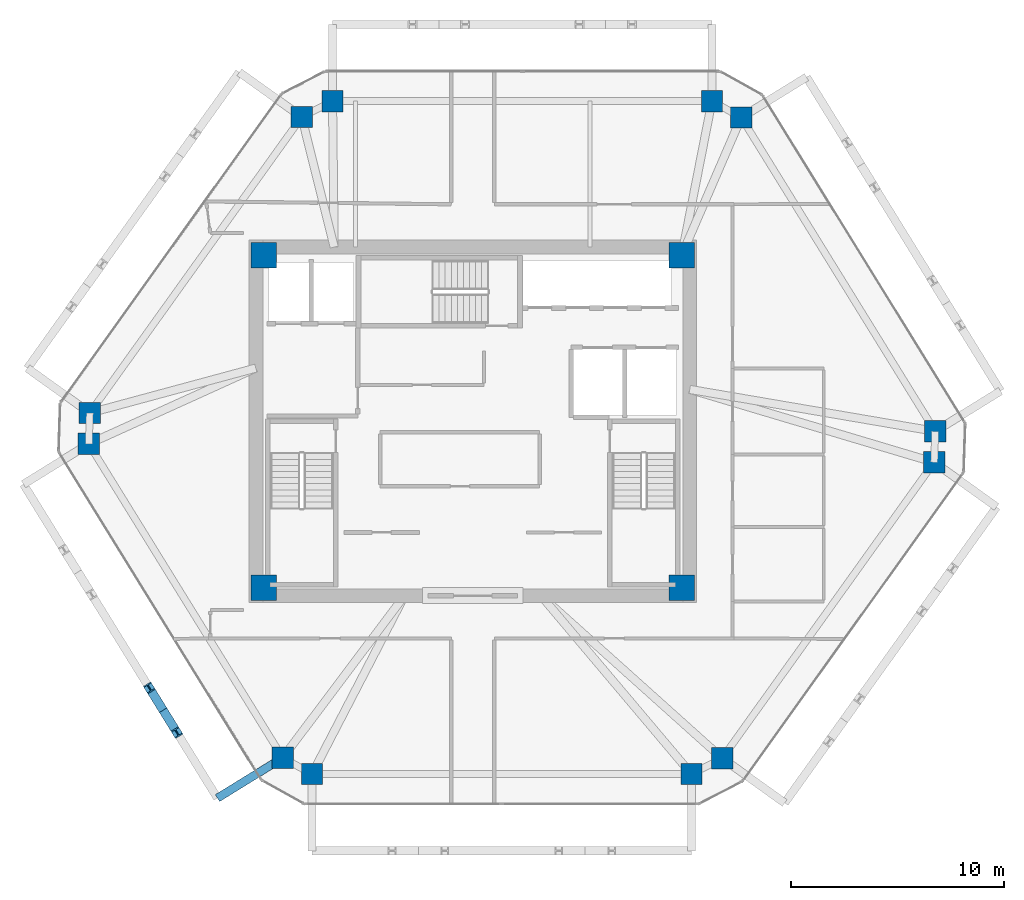
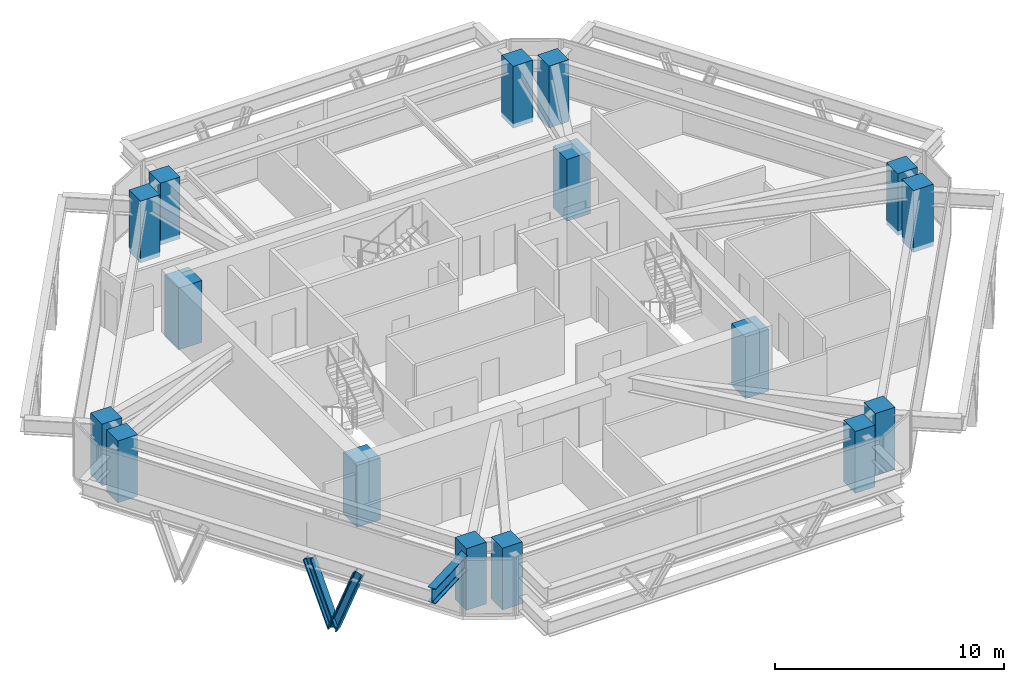
# One storey, part 1 of 11: 16 columns, 2 members, 1 beam.
"""IFC4 building model written with IfcOpenShell, lengths in metres."""

from ifc_helpers import new_model, si_unit, direction, frame, origin, origin_2d, place, context, subcontext, project, spatial, rectangle, i_section, extrude, source, transform, mapped, material, material_profile, profile_set, type_object, type_shapes, element, save


model = new_model("IFC4")

# Units and contexts
model_context = context("Model", 3, precision=1e-05, world=origin(), true_north=direction((0.0, 1.0)))
body_context = subcontext(model_context, "Body", "Model", "MODEL_VIEW")
ifc_project = project(units=[si_unit("LENGTHUNIT", "METRE"), si_unit("AREAUNIT", "SQUARE_METRE"), si_unit("VOLUMEUNIT", "CUBIC_METRE"), si_unit("PLANEANGLEUNIT", "RADIAN"), si_unit("MASSUNIT", "GRAM", prefix="KILO")], contexts=[model_context])

# Site, building, storey
site_placement = place(None, origin())
site = spatial("IfcSite", under=ifc_project, at=site_placement, CompositionType="ELEMENT")
building_placement = place(site_placement, origin())
building = spatial("IfcBuilding", under=site, at=building_placement, Name="Durnholm Broadcast Tower", CompositionType="ELEMENT")
storey_placement = place(building_placement, frame((0.0, 0.0, 170.5)))
storey = spatial("IfcBuildingStorey", under=building, at=storey_placement, Name="L46", CompositionType="ELEMENT", Elevation=170.5)

# Columns
ifc_material_1 = material(Name="Concrete C70/85", Category="concrete")
ifc_material_profile_1 = material_profile(ifc_material_1, rectangle(XDim=1.199951171875, YDim=1.199951171875, at=origin_2d()), Name="RC1200X1200")
ifc_profile_set_1 = profile_set([ifc_material_profile_1], Name="Concrete C70/85")
column_type_1 = type_object("IfcColumnType", Name="COL-CC-1200", PredefinedType="COLUMN", material=ifc_profile_set_1)
shared_shape_1 = source(origin(), body_context, "Body", "SweptSolid", [
    extrude(rectangle(XDim=1.199951171875, YDim=1.199951171875, at=origin_2d()), origin(), (0.0, 0.0, 1.0), 3.300048828125),
])
type_shapes(column_type_1, [shared_shape_1])
for number, where, z_axis, x_axis, name in (
    (1, (-9.800048828125, -7.800048828125, -0.239990234375), (0.0, 0.0, 1.0), (1.0, 0.0, 0.0), "L46 core corner column 1"),
    (2, (9.800048828125, -7.800048828125, -0.239990234375), (0.0, 0.0, 1.0), (1.0, 0.0, 0.0), "L46 core corner column 2"),
    (3, (9.800048828125, 7.800048828125, -0.239990234375), (0.0, 0.0, 1.0), (1.0, 0.0, 0.0), "L46 core corner column 3"),
    (4, (-9.800048828125, 7.800048828125, -0.239990234375), (0.0, 0.0, 1.0), (1.0, 0.0, 0.0), "L46 core corner column 4"),
):
    element("IfcColumn", number, at=place(storey_placement, frame(where, z_axis=z_axis, x_axis=x_axis)), inside=storey, type_object=column_type_1, Name=name, PredefinedType="COLUMN", context=body_context, shape_type="MappedRepresentation", body=[
        mapped(shared_shape_1, transform((0.0, 0.0, 0.0), x_axis=(1.0, 0.0, 0.0), y_axis=(0.0, 1.0, 0.0), z_axis=(0.0, 0.0, 1.0), scale=1.0)),
    ])
ifc_material_profile_2 = material_profile(ifc_material_1, rectangle(XDim=1.0, YDim=1.0, at=origin_2d()), Name="RC1000X1000")
ifc_profile_set_2 = profile_set([ifc_material_profile_2], Name="Concrete C70/85")
column_type_2 = type_object("IfcColumnType", Name="COL-CC-1000", PredefinedType="COLUMN", material=ifc_profile_set_2)
shared_shape_2 = source(origin(), body_context, "Body", "SweptSolid", [
    extrude(rectangle(XDim=1.0, YDim=1.0, at=origin_2d()), origin(), (0.0, 0.0, 1.0), 3.300048828125),
])
type_shapes(column_type_2, [shared_shape_2])
for number, where, z_axis, x_axis, name in (
    (5, (-8.91259765625, -15.7763671875, -0.239990234375), (0.0, 0.0, 1.0), (1.0, 0.0, 0.0), "L46 perimeter hexagonal tube column 01"),
    (6, (-18.009033203125, -1.056640625, -0.239990234375), (0.0, 0.0, 1.0), (1.0, 0.0, 0.0), "L46 perimeter hexagonal tube column 02"),
    (7, (-17.9599609375, 0.3955078125, -0.239990234375), (0.0, 0.0, 1.0), (1.0, 0.0, 0.0), "L46 perimeter hexagonal tube column 03"),
    (8, (-8.021728515625, 14.2763671875, -0.239990234375), (0.0, 0.0, 1.0), (1.0, 0.0, 0.0), "L46 perimeter hexagonal tube column 04"),
    (9, (-6.57861328125, 15.01806640625, -0.239990234375), (0.0, 0.0, 1.0), (1.0, 0.0, 0.0), "L46 perimeter hexagonal tube column 05"),
    (10, (11.217529296875, 15.01806640625, -0.239990234375), (0.0, 0.0, 1.0), (1.0, 0.0, 0.0), "L46 perimeter hexagonal tube column 06"),
    (11, (12.5908203125, 14.252197265625, -0.239990234375), (0.0, 0.0, 1.0), (1.0, 0.0, 0.0), "L46 perimeter hexagonal tube column 07"),
    (12, (21.68701171875, -0.46728515625, -0.239990234375), (0.0, 0.0, 1.0), (1.0, 0.0, 0.0), "L46 perimeter hexagonal tube column 08"),
    (13, (21.637939453125, -1.919677734375, -0.239990234375), (0.0, 0.0, 1.0), (1.0, 0.0, 0.0), "L46 perimeter hexagonal tube column 09"),
    (14, (11.69970703125, -15.80029296875, -0.239990234375), (0.0, 0.0, 1.0), (1.0, 0.0, 0.0), "L46 perimeter hexagonal tube column 10"),
    (15, (10.256591796875, -16.5419921875, -0.239990234375), (0.0, 0.0, 1.0), (1.0, 0.0, 0.0), "L46 perimeter hexagonal tube column 11"),
    (16, (-7.53955078125, -16.5419921875, -0.239990234375), (0.0, 0.0, 1.0), (1.0, 0.0, 0.0), "L46 perimeter hexagonal tube column 12"),
):
    element("IfcColumn", number, at=place(storey_placement, frame(where, z_axis=z_axis, x_axis=x_axis)), inside=storey, type_object=column_type_2, Name=name, PredefinedType="COLUMN", context=body_context, shape_type="MappedRepresentation", body=[
        mapped(shared_shape_2, transform((0.0, 0.0, 0.0), x_axis=(1.0, 0.0, 0.0), y_axis=(0.0, 1.0, 0.0), z_axis=(0.0, 0.0, 1.0), scale=1.0)),
    ])

# Beam
ifc_material_2 = material(Name="Steel ASTM A992 Grade 50", Category="steel")
ifc_material_profile_3 = material_profile(ifc_material_2, i_section(OverallWidth=0.385009765625, OverallDepth=0.802978515625, WebThickness=0.023681640625, FlangeThickness=0.0419921875, FilletRadius=0.032958984375, at=origin_2d()), Name="W30X261")
ifc_profile_set_3 = profile_set([ifc_material_profile_3], Name="Steel ASTM A992 Grade 50")
beam_type = type_object("IfcBeamType", Name="BM-EXO-TIE", PredefinedType="USERDEFINED", material=ifc_profile_set_3)
shared_shape_3 = source(origin(), body_context, "Body", "SweptSolid", [
    extrude(i_section(OverallWidth=0.385009765625, OverallDepth=0.802978515625, WebThickness=0.023681640625, FlangeThickness=0.0419921875, FilletRadius=0.032958984375, at=origin_2d()), origin(), (0.0, 0.0, 1.0), 3.4560546875),
])
type_shapes(beam_type, [shared_shape_3])
beam_placement = place(storey_placement, frame((-9.03515625, -15.85205078125, 2.30859375), z_axis=(-0.850693939061, -0.525661318764, 0.0), x_axis=(0.525661318764, -0.850693939061, 0.0)))
element("IfcBeam", 17, at=beam_placement, inside=storey, type_object=beam_type, Name="L46 exoskeleton stand-off tie bracket F6.2", ObjectType="GIRDER", PredefinedType="USERDEFINED", context=body_context, shape_type="MappedRepresentation", body=[
    mapped(shared_shape_3, transform((0.0, 0.0, 0.0), x_axis=(1.0, 0.0, 0.0), y_axis=(0.0, 1.0, 0.0), z_axis=(0.0, 0.0, 1.0), scale=1.0)),
])

# Members
ifc_material_3 = material(Name="Steel ASTM A913 Grade 65", Category="steel")
ifc_material_profile_4 = material_profile(ifc_material_3, i_section(OverallWidth=0.412109375, OverallDepth=0.434814453125, WebThickness=0.035888671875, FlangeThickness=0.057373046875, FilletRadius=0.030517578125, at=origin_2d()), Name="W14X311")
ifc_profile_set_4 = profile_set([ifc_material_profile_4], Name="Steel ASTM A913 Grade 65")
member_type = type_object("IfcMemberType", Name="STL-DG-W14X311", PredefinedType="BRACE", material=ifc_profile_set_4)
shared_shape_4 = source(origin(), body_context, "Body", "SweptSolid", [
    extrude(i_section(OverallWidth=0.412109375, OverallDepth=0.434814453125, WebThickness=0.035888671875, FlangeThickness=0.057373046875, FilletRadius=0.030517578125, at=origin_2d()), origin(), (0.0, 0.0, 1.0), 3.523193359375),
])
type_shapes(member_type, [shared_shape_4])
for number, where, z_axis, x_axis, name in (
    (18, (-14.522216796875, -13.54736328125, -0.991455078125), (-0.184052089489, 0.297906601172, 0.936683770188), (-0.850732935913, -0.525598203719, 0.0), "L46 stand-off diagrid brace F6.D2.1"),
    (19, (-14.522216796875, -13.54736328125, -0.991455078125), (0.18411903749, -0.297902800967, 0.936671821509), (0.850644447398, 0.525741404219, 0.0), "L46 stand-off diagrid brace F6.D2.2"),
):
    element("IfcMember", number, at=place(storey_placement, frame(where, z_axis=z_axis, x_axis=x_axis)), inside=storey, type_object=member_type, Name=name, PredefinedType="BRACE", context=body_context, shape_type="MappedRepresentation", body=[
        mapped(shared_shape_4, transform((0.0, 0.0, 0.0), x_axis=(1.0, 0.0, 0.0), y_axis=(0.0, 1.0, 0.0), z_axis=(0.0, 0.0, 1.0), scale=1.0)),
    ])

save(model, "model.ifc")
